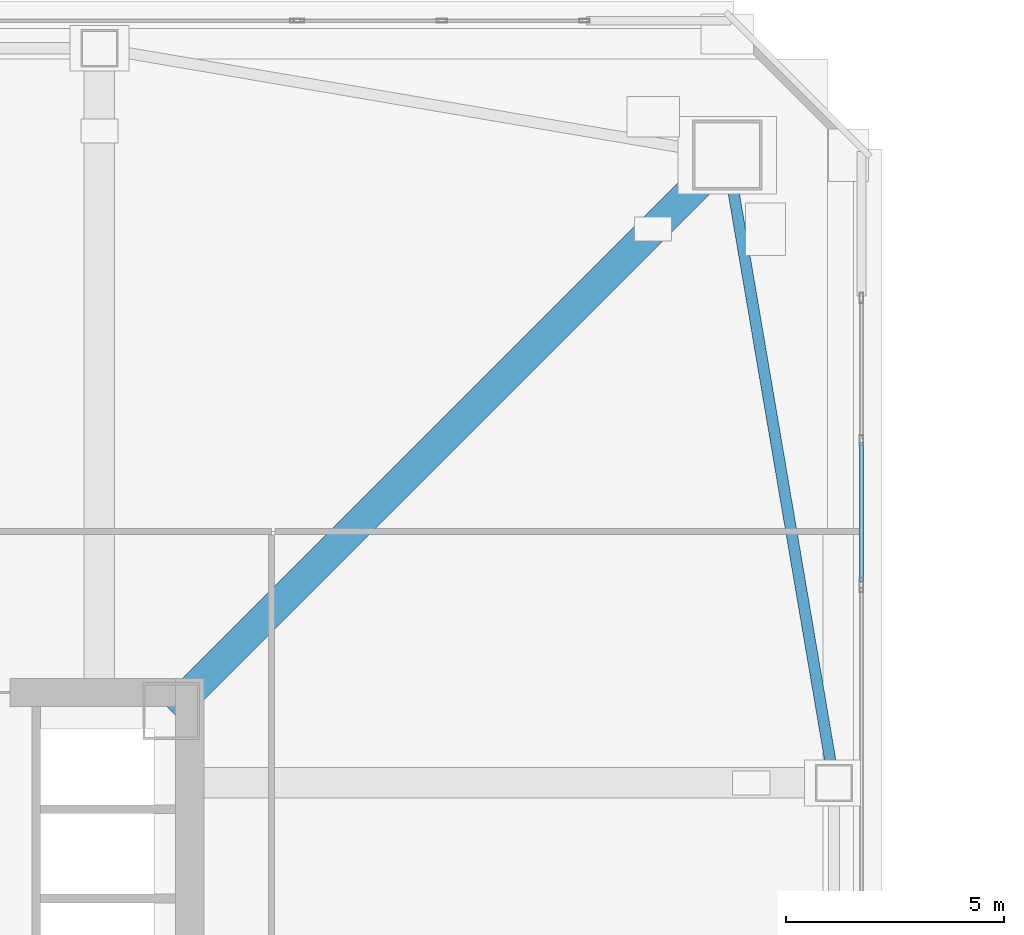
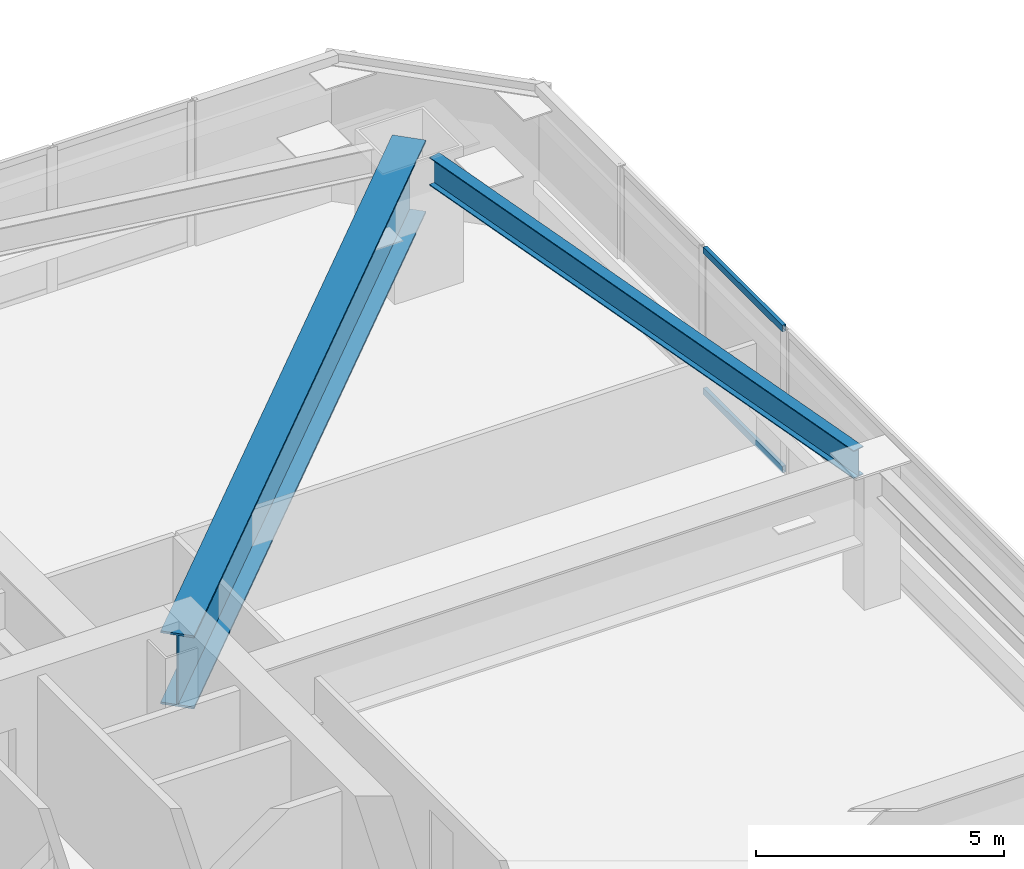
# One storey, part 18 of 48: 2 beams, 2 members, 1 element without a shape of its own.
"""IFC4 building model written with IfcOpenShell, lengths in metres."""

from ifc_helpers import new_model, si_unit, direction, frame, origin, origin_2d, place, context, subcontext, project, spatial, hollow_rectangle, i_section, extrude, material, material_profile, profile_set, type_object, element, aggregate, save


model = new_model("IFC4")

# Units and contexts
model_context = context("Model", 3, precision=1e-05, world=origin(), true_north=direction((0.0, 1.0)))
body_context = subcontext(model_context, "Body", "Model", "MODEL_VIEW")
ifc_project = project(units=[si_unit("LENGTHUNIT", "METRE"), si_unit("AREAUNIT", "SQUARE_METRE"), si_unit("VOLUMEUNIT", "CUBIC_METRE"), si_unit("PLANEANGLEUNIT", "RADIAN"), si_unit("MASSUNIT", "GRAM", prefix="KILO")], contexts=[model_context])

# Site, building, storey
site_placement = place(None, origin())
site = spatial("IfcSite", under=ifc_project, at=site_placement, CompositionType="ELEMENT")
building_placement = place(site_placement, origin())
building = spatial("IfcBuilding", under=site, at=building_placement, Name="Tashvorn Skyway Center", CompositionType="ELEMENT")
storey_placement = place(building_placement, frame((0.0, 0.0, 63.64990234375)))
storey = spatial("IfcBuildingStorey", under=building, at=storey_placement, Name="L16", CompositionType="ELEMENT", Elevation=63.64990234375)

# Beams
ifc_material_1 = material(Name="Steel ASTM A572 Grade 50", Category="steel")
ifc_material_profile_1 = material_profile(ifc_material_1, i_section(OverallWidth=0.699951171875, OverallDepth=1.800048828125, WebThickness=0.031982421875, FlangeThickness=0.050048828125, at=origin_2d()), Name="PG1800x700")
ifc_profile_set_1 = profile_set([ifc_material_profile_1], Name="Steel ASTM A572 Grade 50")
beam_type_1 = type_object("IfcBeamType", Name="BM-BEAM-PG1800x700", PredefinedType="BEAM", material=ifc_profile_set_1)
beam_1_placement = place(storey_placement, frame((61.800048828125, 51.800048828125, 2.4501953125), z_axis=(-0.707106781187, -0.707106781187, 0.0), x_axis=(0.707106781187, -0.707106781187, 0.0)))
element("IfcBeam", 1, at=beam_1_placement, inside=storey, type_object=beam_type_1, Name="Tower 1 L16 Setback Transfer Girder MC-NE", PredefinedType="BEAM", context=body_context, shape_type="SweptSolid", body=[
    extrude(i_section(OverallWidth=0.699951171875, OverallDepth=1.800048828125, WebThickness=0.031982421875, FlangeThickness=0.050048828125, at=origin_2d()), origin(), (0.0, 0.0, 1.0), 18.03125),
])
ifc_material_2 = material(Name="Steel ASTM A992 Grade 50", Category="steel")
ifc_material_profile_2 = material_profile(ifc_material_2, i_section(OverallWidth=0.256103515625, OverallDepth=0.693115234375, WebThickness=0.014404296875, FlangeThickness=0.023681640625, at=origin_2d()), Name="W27X114")
ifc_profile_set_2 = profile_set([ifc_material_profile_2], Name="Steel ASTM A992 Grade 50")
beam_type_2 = type_object("IfcBeamType", Name="BM-SPANDREL-W27X114", PredefinedType="SPANDREL", material=ifc_profile_set_2)
beam_2_placement = place(storey_placement, frame((64.179443359375, 37.81396484375, 3.003662109375), z_axis=(-0.16771792509, 0.985835025551, 0.0), x_axis=(-0.985835025551, -0.16771792509, 0.0)))
element("IfcBeam", 2, at=beam_2_placement, inside=storey, type_object=beam_type_2, Name="Tower 1 L16 Spandrel Beam 06", PredefinedType="SPANDREL", context=body_context, shape_type="SweptSolid", body=[
    extrude(i_section(OverallWidth=0.256103515625, OverallDepth=0.693115234375, WebThickness=0.014404296875, FlangeThickness=0.023681640625, at=origin_2d()), origin(), (0.0, 0.0, 1.0), 13.39208984375),
])

# Curtain wall, members
ifc_material_3 = material(Name="Thermally broken bronze-anodized aluminium 6063-T6", Category="aluminium")
curtain_wall_type = type_object("IfcCurtainWallType", Name="CW-CW-Z1", PredefinedType="NOTDEFINED", material=ifc_material_3)
curtain_wall_placement = place(storey_placement, origin())
curtain_wall = element("IfcCurtainWall", 3, at=curtain_wall_placement, inside=storey, type_object=curtain_wall_type, Name="Tower 1 L16 East Unitised Curtain Wall Glazing Group 1", PredefinedType="NOTDEFINED")
ifc_material_profile_3 = material_profile(ifc_material_3, hollow_rectangle(XDim=0.0849609375, YDim=0.1650390625, WallThickness=0.0048828125, at=origin_2d()), Name="ALU-TRAN-85x165")
ifc_profile_set_3 = profile_set([ifc_material_profile_3], Name="Thermally broken bronze-anodized aluminium 6063-T6")
member_type = type_object("IfcMemberType", Name="CWT-CW-Z1", PredefinedType="USERDEFINED", material=ifc_profile_set_3)
member_1_placement = place(storey_placement, frame((64.8798828125, 45.2109375, 0.04248046875), z_axis=(0.0, -1.0, 0.0), x_axis=(1.0, 0.0, 0.0)))
member_1 = element("IfcMember", 4, at=member_1_placement, type_object=member_type, Name="CW-Z1 transom 2.1", ObjectType="TRANSOM", PredefinedType="USERDEFINED", context=body_context, shape_type="SweptSolid", body=[
    extrude(hollow_rectangle(XDim=0.0849609375, YDim=0.1650390625, WallThickness=0.0048828125, at=origin_2d()), origin(), (0.0, 0.0, 1.0), 3.18603515625),
])
member_2_placement = place(storey_placement, frame((64.8798828125, 45.2109375, 3.507568359375), z_axis=(0.0, -1.0, 0.0), x_axis=(1.0, 0.0, 0.0)))
member_2 = element("IfcMember", 5, at=member_2_placement, type_object=member_type, Name="CW-Z1 transom 2.2", ObjectType="TRANSOM", PredefinedType="USERDEFINED", context=body_context, shape_type="SweptSolid", body=[
    extrude(hollow_rectangle(XDim=0.0849609375, YDim=0.1650390625, WallThickness=0.0048828125, at=origin_2d()), origin(), (0.0, 0.0, 1.0), 3.18603515625),
])
aggregate(curtain_wall, [member_1, member_2])

save(model, "model.ifc")
